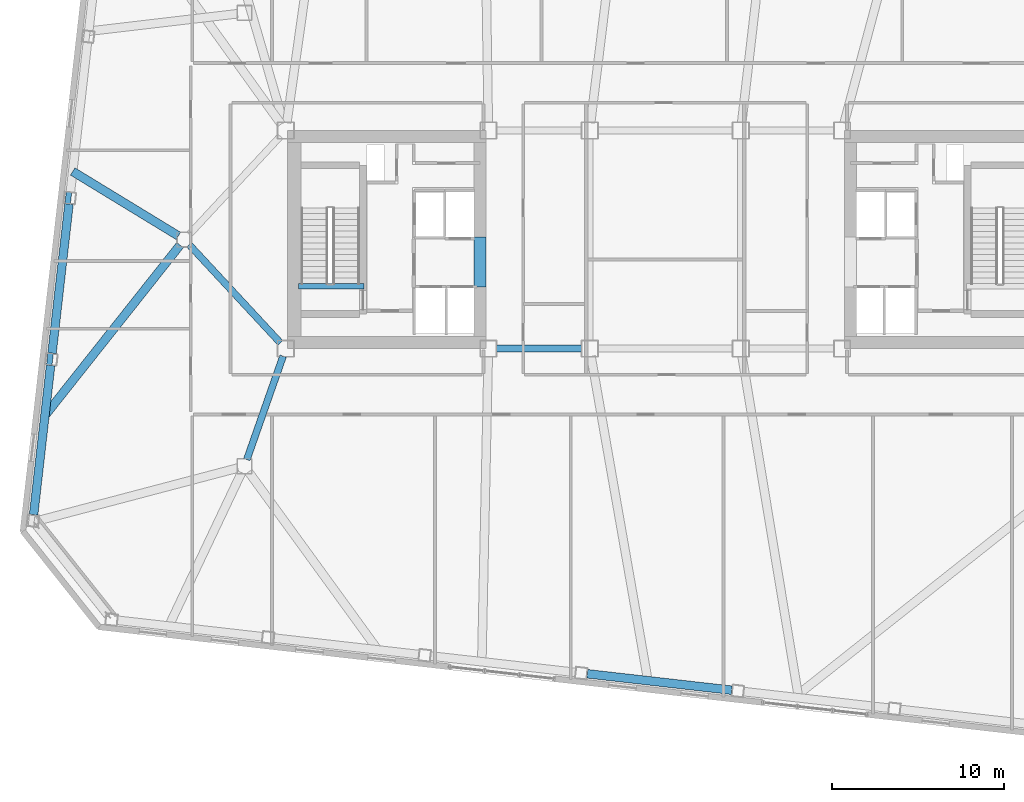
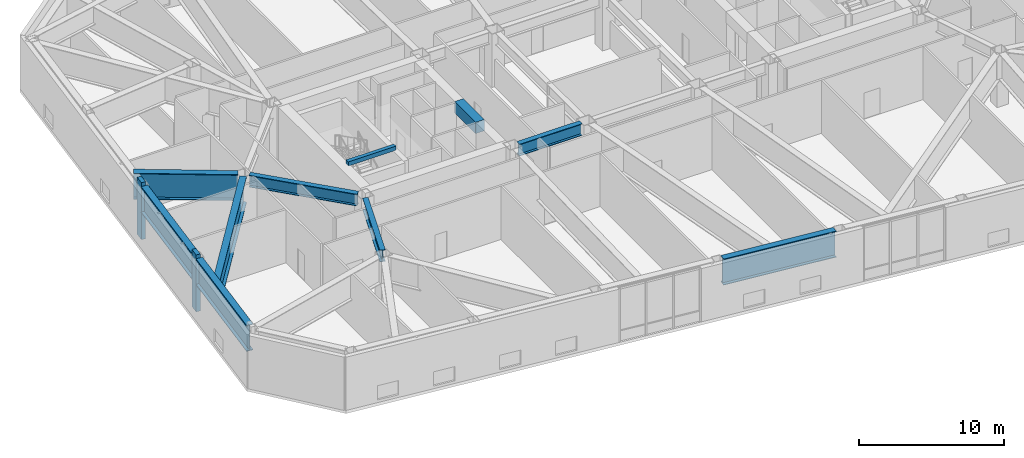
# One storey, part 3 of 19: 10 beams, 2 members.
"""IFC4 building model written with IfcOpenShell, lengths in metres."""

from ifc_helpers import new_model, si_unit, direction, frame, origin, origin_2d, place, context, subcontext, project, spatial, rectangle, i_section, extrude, material, material_profile, profile_set, type_object, element, save


model = new_model("IFC4")

# Units and contexts
model_context = context("Model", 3, precision=1e-05, world=origin(), true_north=direction((0.0, 1.0)))
body_context = subcontext(model_context, "Body", "Model", "MODEL_VIEW")
ifc_project = project(units=[si_unit("LENGTHUNIT", "METRE"), si_unit("AREAUNIT", "SQUARE_METRE"), si_unit("VOLUMEUNIT", "CUBIC_METRE"), si_unit("PLANEANGLEUNIT", "RADIAN"), si_unit("MASSUNIT", "GRAM", prefix="KILO")], contexts=[model_context])

# Site, building, storey
site_placement = place(None, origin())
site = spatial("IfcSite", under=ifc_project, at=site_placement, CompositionType="ELEMENT")
building_placement = place(site_placement, origin())
building = spatial("IfcBuilding", under=site, at=building_placement, Name="Tavrogorsk Clinical Tower", CompositionType="ELEMENT")
storey_placement = place(building_placement, frame((0.0, 0.0, 141.39990234375)))
storey = spatial("IfcBuildingStorey", under=building, at=storey_placement, Name="L32", CompositionType="ELEMENT", Elevation=141.39990234375)

# Beam
ifc_material_1 = material(Name="Concrete B80", Category="concrete")
ifc_material_profile_1 = material_profile(ifc_material_1, rectangle(XDim=0.699951171875, YDim=0.949951171875, at=origin_2d()), Name="RC-CB-700x950")
ifc_profile_set_1 = profile_set([ifc_material_profile_1], Name="Concrete B80")
beam_type_1 = type_object("IfcBeamType", Name="CouplingBeam_RC700x950", PredefinedType="LINTEL", material=ifc_profile_set_1)
beam_1_placement = place(storey_placement, frame((-10.800048828125, -2.75, 4.005126953125), z_axis=(0.0, 1.0, 0.0), x_axis=(-1.0, 0.0, 0.0)))
element("IfcBeam", 1, at=beam_1_placement, inside=storey, type_object=beam_type_1, Name="L32 Core West Coupling Beam", PredefinedType="LINTEL", context=body_context, shape_type="SweptSolid", body=[
    extrude(rectangle(XDim=0.699951171875, YDim=0.949951171875, at=origin_2d()), origin(), (0.0, 0.0, 1.0), 2.89990234375),
])

# Members
ifc_material_2 = material(Name="Precast concrete B45 with limestone cladding", Category="masonry")
ifc_material_profile_2 = material_profile(ifc_material_2, rectangle(XDim=0.320068359375, YDim=0.719970703125, at=origin_2d()), Name="LIMESTONE-FIN-320x720")
ifc_profile_set_2 = profile_set([ifc_material_profile_2], Name="Precast concrete B45 with limestone cladding")
member_type = type_object("IfcMemberType", Name="LimestonePleatFin_320x720", PredefinedType="USERDEFINED", material=ifc_profile_set_2)
for number, where, z_axis, x_axis, name in (
    (2, (-34.759521484375, 2.433837890625, 0.0), (0.0, 0.0, 1.0), (0.993571855677, -0.113203213768, 0.0), "L32 W Pleated Stone Fin 2"),
    (3, (-35.83056640625, -6.96533203125, 0.0), (0.0, 0.0, 1.0), (0.993571855677, -0.113203213768, 0.0), "L32 W Pleated Stone Fin 3"),
):
    element("IfcMember", number, at=place(storey_placement, frame(where, z_axis=z_axis, x_axis=x_axis)), inside=storey, type_object=member_type, Name=name, ObjectType="FIN", PredefinedType="USERDEFINED", context=body_context, shape_type="SweptSolid", body=[
        extrude(rectangle(XDim=0.320068359375, YDim=0.719970703125, at=origin_2d()), origin(), (0.0, 0.0, 1.0), 4.800048828125),
    ])

# Beams
ifc_material_3 = material(Name="Concrete B60", Category="concrete")
ifc_material_profile_3 = material_profile(ifc_material_3, rectangle(XDim=0.300048828125, YDim=0.35009765625, at=origin_2d()), Name="RC-SHB-300x350")
ifc_profile_set_3 = profile_set([ifc_material_profile_3], Name="Concrete B60")
beam_type_2 = type_object("IfcBeamType", Name="StairHeaderBeam_RC300x350", PredefinedType="BEAM", material=ifc_profile_set_3)
beam_2_placement = place(storey_placement, frame((-21.35009765625, -2.719970703125, 4.625), z_axis=(1.0, 0.0, 0.0), x_axis=(0.0, 1.0, 0.0)))
element("IfcBeam", 4, at=beam_2_placement, inside=storey, type_object=beam_type_2, Name="L33 ST-W Landing Header Beam", PredefinedType="BEAM", context=body_context, shape_type="SweptSolid", body=[
    extrude(rectangle(XDim=0.300048828125, YDim=0.35009765625, at=origin_2d()), origin(), (0.0, 0.0, 1.0), 3.800048828125),
])
ifc_material_4 = material(Name="Structural steel S440", Category="steel")
ifc_material_profile_4 = material_profile(ifc_material_4, i_section(OverallWidth=0.39990234375, OverallDepth=1.0, WebThickness=0.028076171875, FlangeThickness=0.044921875, at=origin_2d()), Name="DK-1000x400x28x45")
ifc_profile_set_4 = profile_set([ifc_material_profile_4], Name="Structural steel S440")
beam_type_3 = type_object("IfcBeamType", Name="TransferGirder_DK1000", PredefinedType="USERDEFINED", material=ifc_profile_set_4)
beam_3_placement = place(storey_placement, frame((-9.840087890625, -6.35009765625, 3.97998046875), z_axis=(1.0, 0.0, 0.0), x_axis=(0.0, 1.0, 0.0)))
element("IfcBeam", 5, at=beam_3_placement, inside=storey, type_object=beam_type_3, Name="L32 Primary Spine Girder MG-01", ObjectType="GIRDER", PredefinedType="USERDEFINED", context=body_context, shape_type="SweptSolid", body=[
    extrude(i_section(OverallWidth=0.39990234375, OverallDepth=1.0, WebThickness=0.028076171875, FlangeThickness=0.044921875, at=origin_2d()), origin(), (0.0, 0.0, 1.0), 4.97998046875),
])
beam_4_placement = place(storey_placement, frame((-24.364501953125, -12.81298828125, 3.97998046875), z_axis=(0.330660234815, 0.943749865755, 0.0), x_axis=(-0.943749865755, 0.330660234815, 0.0)))
element("IfcBeam", 6, at=beam_4_placement, inside=storey, type_object=beam_type_3, Name="L32 Spine Link Girder OPG-1", ObjectType="GIRDER", PredefinedType="USERDEFINED", context=body_context, shape_type="SweptSolid", body=[
    extrude(i_section(OverallWidth=0.39990234375, OverallDepth=1.0, WebThickness=0.028076171875, FlangeThickness=0.044921875, at=origin_2d()), origin(), (0.0, 0.0, 1.0), 6.38818359375),
])
beam_5_placement = place(storey_placement, frame((-27.720947265625, -0.30029296875, 3.97998046875), z_axis=(0.680675630035, -0.732584934787, 0.0), x_axis=(0.732584934787, 0.680675630035, 0.0)))
element("IfcBeam", 7, at=beam_5_placement, inside=storey, type_object=beam_type_3, Name="L32 Spine Link Girder OPG-5", ObjectType="GIRDER", PredefinedType="USERDEFINED", context=body_context, shape_type="SweptSolid", body=[
    extrude(i_section(OverallWidth=0.39990234375, OverallDepth=1.0, WebThickness=0.028076171875, FlangeThickness=0.044921875, at=origin_2d()), origin(), (0.0, 0.0, 1.0), 7.7978515625),
])
ifc_material_5 = material(Name="Structural steel S440", Category="steel")
ifc_material_profile_5 = material_profile(ifc_material_5, i_section(OverallWidth=0.5, OverallDepth=2.199951171875, WebThickness=0.035888671875, FlangeThickness=0.054931640625, at=origin_2d()), Name="DK-2200x500x36x55")
ifc_profile_set_5 = profile_set([ifc_material_profile_5], Name="Structural steel S440")
beam_type_4 = type_object("IfcBeamType", Name="TransferGirder_DK2200", PredefinedType="USERDEFINED", material=ifc_profile_set_5)
beam_6_placement = place(storey_placement, frame((-4.533935546875, -25.2861328125, 3.380126953125), z_axis=(0.993572695356, -0.113195843756, 0.0), x_axis=(0.113195843756, 0.993572695356, 0.0)))
element("IfcBeam", 8, at=beam_6_placement, inside=storey, type_object=beam_type_4, Name="L32 Perimeter Spandrel S4-S5", ObjectType="GIRDER", PredefinedType="USERDEFINED", context=body_context, shape_type="SweptSolid", body=[
    extrude(i_section(OverallWidth=0.5, OverallDepth=2.199951171875, WebThickness=0.035888671875, FlangeThickness=0.054931640625, at=origin_2d()), origin(), (0.0, 0.0, 1.0), 8.461181640625),
])
for number, where, z_axis, x_axis, name in (
    (9, (-34.720703125, 2.069091796875, 3.380126953125), (-0.113192226434, -0.993573107464, 0.0), (0.993573107464, -0.113192226434, 0.0), "L32 Perimeter Spandrel W3-W4"),
    (10, (-35.79150390625, -7.330078125, 3.380126953125), (-0.113192226434, -0.993573107464, 0.0), (0.993573107464, -0.113192226434, 0.0), "L32 Perimeter Spandrel W4-W5"),
):
    element("IfcBeam", number, at=place(storey_placement, frame(where, z_axis=z_axis, x_axis=x_axis)), inside=storey, type_object=beam_type_4, Name=name, ObjectType="GIRDER", PredefinedType="USERDEFINED", context=body_context, shape_type="SweptSolid", body=[
        extrude(i_section(OverallWidth=0.5, OverallDepth=2.199951171875, WebThickness=0.035888671875, FlangeThickness=0.054931640625, at=origin_2d()), origin(), (0.0, 0.0, 1.0), 8.743896484375),
    ])
beam_7_placement = place(storey_placement, frame((-28.35009765625, 0.21337890625, 3.380126953125), z_axis=(-0.853792136645, 0.520614048412, 0.0), x_axis=(-0.520614048412, -0.853792136645, 0.0)))
element("IfcBeam", 11, at=beam_7_placement, inside=storey, type_object=beam_type_4, Name="L33 Block Transfer Girder W3", ObjectType="GIRDER", PredefinedType="USERDEFINED", context=body_context, shape_type="SweptSolid", body=[
    extrude(i_section(OverallWidth=0.5, OverallDepth=2.199951171875, WebThickness=0.035888671875, FlangeThickness=0.054931640625, at=origin_2d()), origin(), (0.0, 0.0, 1.0), 7.208251953125),
])
beam_8_placement = place(storey_placement, frame((-28.254638671875, -0.3212890625, 3.380126953125), z_axis=(-0.620985630614, -0.783821948258, 0.0), x_axis=(0.783821948258, -0.620985630614, 0.0)))
element("IfcBeam", 12, at=beam_8_placement, inside=storey, type_object=beam_type_4, Name="L33 Block Transfer Girder W4", ObjectType="GIRDER", PredefinedType="USERDEFINED", context=body_context, shape_type="SweptSolid", body=[
    extrude(i_section(OverallWidth=0.5, OverallDepth=2.199951171875, WebThickness=0.035888671875, FlangeThickness=0.054931640625, at=origin_2d()), origin(), (0.0, 0.0, 1.0), 12.673583984375),
])

save(model, "model.ifc")
